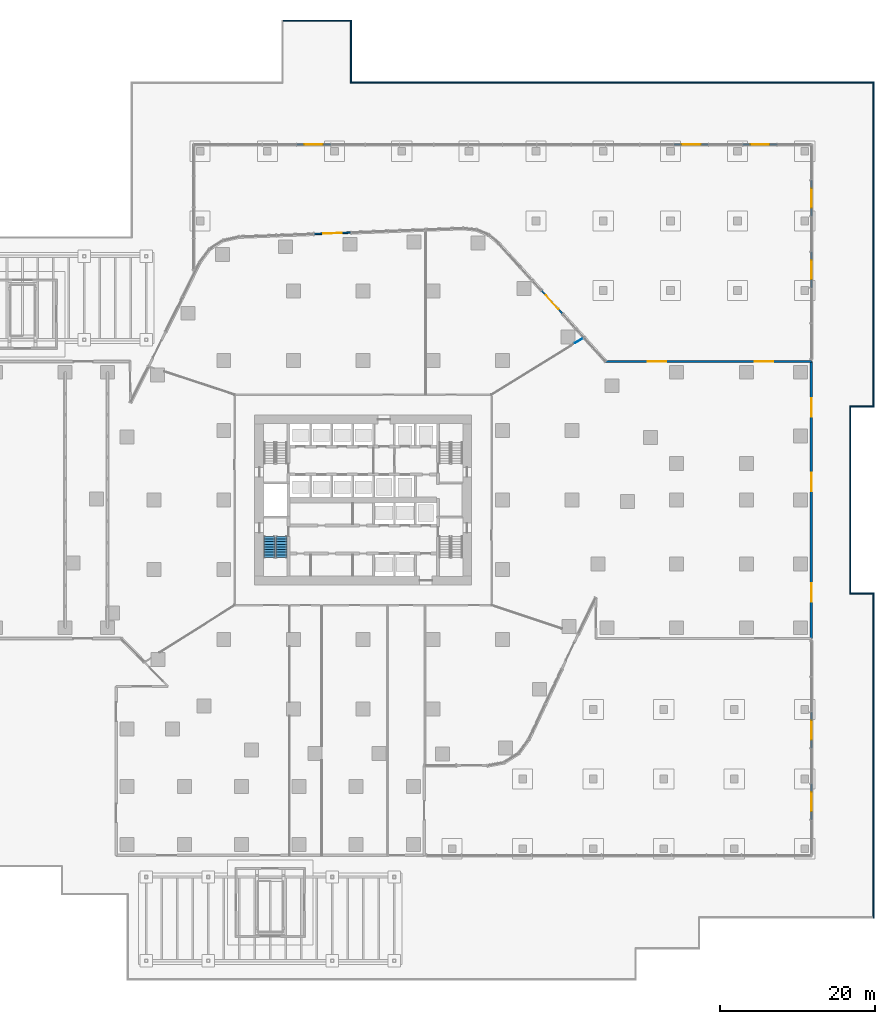
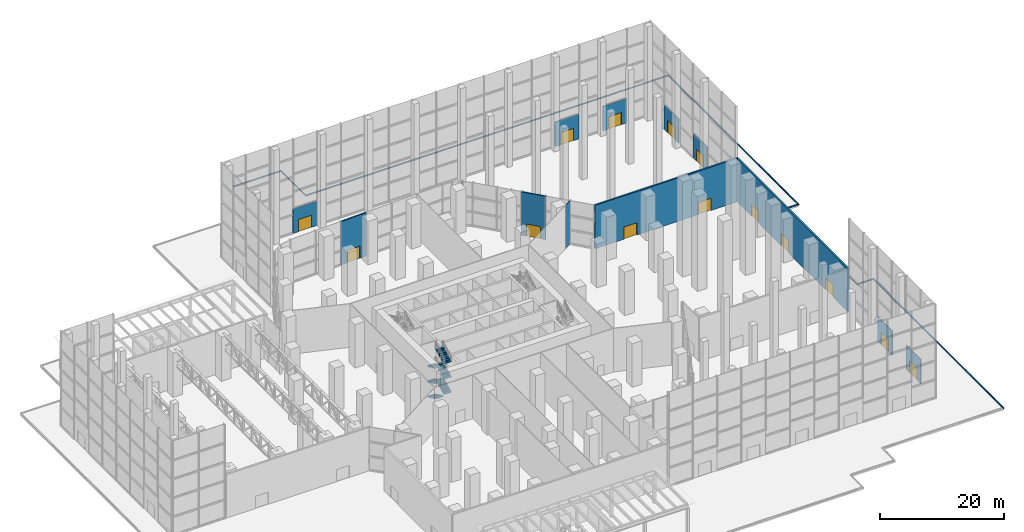
# One storey, part 34 of 40: 20 walls, 14 doors, 6 stair flights, 14 openings, 1 element without a shape of its own.
"""IFC4 building model written with IfcOpenShell, lengths in metres."""

from ifc_helpers import new_model, si_unit, direction, frame, frame_2d, origin, place, context, subcontext, project, spatial, polyline, rectangle, outline, extrude, material, layer, layer_set, type_object, element, fill, aggregate, save


model = new_model("IFC4")

# Units and contexts
model_context = context("Model", 3, precision=1e-05, world=origin(), true_north=direction((0.0, 1.0)))
body_context = subcontext(model_context, "Body", "Model", "MODEL_VIEW")
ifc_project = project(units=[si_unit("LENGTHUNIT", "METRE"), si_unit("AREAUNIT", "SQUARE_METRE"), si_unit("VOLUMEUNIT", "CUBIC_METRE"), si_unit("PLANEANGLEUNIT", "RADIAN"), si_unit("MASSUNIT", "GRAM", prefix="KILO")], contexts=[model_context])

# Site, building, storey
site_placement = place(None, origin())
site = spatial("IfcSite", under=ifc_project, at=site_placement, CompositionType="ELEMENT")
building_placement = place(site_placement, origin())
building = spatial("IfcBuilding", under=site, at=building_placement, Name="Dongbaek Canopy Tower", CompositionType="ELEMENT")
storey_placement = place(building_placement, origin())
storey = spatial("IfcBuildingStorey", under=building, at=storey_placement, Name="L00", CompositionType="ELEMENT", Elevation=0.0)

# Wall, opening, door
ifc_material_1 = material(Name="Aluminium window wall", Category="aluminium")
ifc_layer_1 = layer(ifc_material_1, 0.199951171875)
ifc_layer_set_1 = layer_set([ifc_layer_1], Name="Entrance wall 200")
wall_type_1 = type_object("IfcWallType", Name="Entrance wall 200", PredefinedType="SOLIDWALL", material=ifc_layer_set_1)
wall_1_placement = place(storey_placement, frame((23.036376953125, 27.0673828125, 0.0), z_axis=(0.0, 0.0, 1.0), x_axis=(0.671263414089, -0.741218880565, 0.0)))
wall_1 = element("IfcWall", 1, at=wall_1_placement, inside=storey, type_object=wall_type_1, Name="Entrance wall L00 F5 3", PredefinedType="SOLIDWALL", context=body_context, shape_type="SweptSolid", body=[
    extrude(rectangle(XDim=4.107666015625, YDim=0.199951171875, at=frame_2d((2.0537109375, 0.0))), origin(), (0.0, 0.0, 1.0), 8.550048828125),
])
opening_1_placement = place(wall_1_placement, frame((0.85400390625, 0.0, 0.0)))
opening_1 = element("IfcOpeningElement", 2, at=opening_1_placement, cuts=wall_1, Name="Opening L00-E03", PredefinedType="OPENING", context=body_context, shape_type="SweptSolid", body=[
    extrude(rectangle(XDim=2.39990234375, YDim=2.39990234375, at=frame_2d((1.199951171875, 1.199951171875))), frame((0.0, 0.10986328125, 0.0), z_axis=(0.0, -1.0, 0.0), x_axis=(1.0, 0.0, 0.0)), (0.0, 0.0, 1.0), 0.219970703125),
])
ifc_material_2 = material(Name="Clear glazing in aluminium frame", Category="aluminium")
door_type = type_object("IfcDoorType", Name="Entrance door ED1 2400 x 2400", OperationType="DOUBLE_DOOR_SINGLE_SWING", PredefinedType="DOOR", material=ifc_material_2)
door_1_placement = place(opening_1_placement, origin())
door_1 = element("IfcDoor", 3, at=door_1_placement, inside=storey, type_object=door_type, Name="Exterior door L00-E03", OperationType="SINGLE_SWING_LEFT", OverallHeight=2.39990234375, OverallWidth=2.39990234375, PredefinedType="DOOR", context=body_context, shape_type="SweptSolid", body=[
    extrude(rectangle(XDim=2.39990234375, YDim=2.39990234375, at=frame_2d((1.199951171875, 1.199951171875))), frame((0.0, 0.02490234375, 0.0), z_axis=(0.0, -1.0, 0.0), x_axis=(1.0, 0.0, 0.0)), (0.0, 0.0, 1.0), 0.050048828125),
])
fill(opening_1, door_1)

wall_2_placement = place(storey_placement, frame((-6.372802734375, 34.354248046875, 0.0), z_axis=(0.0, 0.0, 1.0), x_axis=(0.999268774919, 0.038235003231, 0.0)))
wall_2 = element("IfcWall", 4, at=wall_2_placement, inside=storey, type_object=wall_type_1, Name="Entrance wall L00 F6 4", PredefinedType="SOLIDWALL", context=body_context, shape_type="SweptSolid", body=[
    extrude(rectangle(XDim=4.8271484375, YDim=0.199951171875, at=frame_2d((2.41357421875, 0.0))), origin(), (0.0, 0.0, 1.0), 8.550048828125),
])
opening_2_placement = place(wall_2_placement, frame((1.213623046875, 0.0, 0.0)))
opening_2 = element("IfcOpeningElement", 5, at=opening_2_placement, cuts=wall_2, Name="Opening L00-E04", PredefinedType="OPENING", context=body_context, shape_type="SweptSolid", body=[
    extrude(rectangle(XDim=2.39990234375, YDim=2.39990234375, at=frame_2d((1.199951171875, 1.199951171875))), frame((0.0, 0.10986328125, 0.0), z_axis=(0.0, -1.0, 0.0), x_axis=(1.0, 0.0, 0.0)), (0.0, 0.0, 1.0), 0.219970703125),
])
door_2_placement = place(opening_2_placement, origin())
door_2 = element("IfcDoor", 6, at=door_2_placement, inside=storey, type_object=door_type, Name="Exterior door L00-E04", OperationType="SINGLE_SWING_LEFT", OverallHeight=2.39990234375, OverallWidth=2.39990234375, PredefinedType="DOOR", context=body_context, shape_type="SweptSolid", body=[
    extrude(rectangle(XDim=2.39990234375, YDim=2.39990234375, at=frame_2d((1.199951171875, 1.199951171875))), frame((0.0, 0.02490234375, 0.0), z_axis=(0.0, -1.0, 0.0), x_axis=(1.0, 0.0, 0.0)), (0.0, 0.0, 1.0), 0.050048828125),
])
fill(opening_2, door_2)

wall_3_placement = place(storey_placement, frame((57.89990234375, 32.050048828125, 0.0), z_axis=(0.0, 0.0, 1.0), x_axis=(0.0, -1.0, 0.0)))
wall_3 = element("IfcWall", 7, at=wall_3_placement, inside=storey, type_object=wall_type_1, Name="Entrance wall L00 NE.3", PredefinedType="SOLIDWALL", context=body_context, shape_type="SweptSolid", body=[
    extrude(rectangle(XDim=4.61669921875, YDim=0.199951171875, at=frame_2d((2.308349609375, 0.0))), origin(), (0.0, 0.0, 1.0), 4.800048828125),
])
opening_3_placement = place(wall_3_placement, frame((1.1083984375, 0.0, 0.0)))
opening_3 = element("IfcOpeningElement", 8, at=opening_3_placement, cuts=wall_3, Name="Opening L00-P01", PredefinedType="OPENING", context=body_context, shape_type="SweptSolid", body=[
    extrude(rectangle(XDim=2.39990234375, YDim=2.39990234375, at=frame_2d((1.199951171875, 1.199951171875))), frame((0.0, 0.10986328125, 0.0), z_axis=(0.0, -1.0, 0.0), x_axis=(1.0, 0.0, 0.0)), (0.0, 0.0, 1.0), 0.219970703125),
])
door_3_placement = place(opening_3_placement, origin())
door_3 = element("IfcDoor", 9, at=door_3_placement, inside=storey, type_object=door_type, Name="Station entrance door L00-P01", OperationType="SINGLE_SWING_LEFT", OverallHeight=2.39990234375, OverallWidth=2.39990234375, PredefinedType="DOOR", context=body_context, shape_type="SweptSolid", body=[
    extrude(rectangle(XDim=2.39990234375, YDim=2.39990234375, at=frame_2d((1.199951171875, 1.199951171875))), frame((0.0, 0.02490234375, 0.0), z_axis=(0.0, -1.0, 0.0), x_axis=(1.0, 0.0, 0.0)), (0.0, 0.0, 1.0), 0.050048828125),
])
fill(opening_3, door_3)

wall_4_placement = place(storey_placement, frame((57.89990234375, 41.283447265625, 0.0), z_axis=(0.0, 0.0, 1.0), x_axis=(0.0, -1.0, 0.0)))
wall_4 = element("IfcWall", 10, at=wall_4_placement, inside=storey, type_object=wall_type_1, Name="Entrance wall L00 NE.5", PredefinedType="SOLIDWALL", context=body_context, shape_type="SweptSolid", body=[
    extrude(rectangle(XDim=4.61669921875, YDim=0.199951171875, at=frame_2d((2.308349609375, 0.0))), origin(), (0.0, 0.0, 1.0), 4.800048828125),
])
opening_4_placement = place(wall_4_placement, frame((1.1083984375, 0.0, 0.0)))
opening_4 = element("IfcOpeningElement", 11, at=opening_4_placement, cuts=wall_4, Name="Opening L00-P02", PredefinedType="OPENING", context=body_context, shape_type="SweptSolid", body=[
    extrude(rectangle(XDim=2.39990234375, YDim=2.39990234375, at=frame_2d((1.199951171875, 1.199951171875))), frame((0.0, 0.10986328125, 0.0), z_axis=(0.0, -1.0, 0.0), x_axis=(1.0, 0.0, 0.0)), (0.0, 0.0, 1.0), 0.219970703125),
])
door_4_placement = place(opening_4_placement, origin())
door_4 = element("IfcDoor", 12, at=door_4_placement, inside=storey, type_object=door_type, Name="Station entrance door L00-P02", OperationType="SINGLE_SWING_LEFT", OverallHeight=2.39990234375, OverallWidth=2.39990234375, PredefinedType="DOOR", context=body_context, shape_type="SweptSolid", body=[
    extrude(rectangle(XDim=2.39990234375, YDim=2.39990234375, at=frame_2d((1.199951171875, 1.199951171875))), frame((0.0, 0.02490234375, 0.0), z_axis=(0.0, -1.0, 0.0), x_axis=(1.0, 0.0, 0.0)), (0.0, 0.0, 1.0), 0.050048828125),
])
fill(opening_4, door_4)

wall_5_placement = place(storey_placement, frame((49.033447265625, 45.89990234375, 0.0), z_axis=(0.0, 0.0, 1.0), x_axis=(1.0, 0.0, 0.0)))
wall_5 = element("IfcWall", 13, at=wall_5_placement, inside=storey, type_object=wall_type_1, Name="Entrance wall L00 NN.2", PredefinedType="SOLIDWALL", context=body_context, shape_type="SweptSolid", body=[
    extrude(rectangle(XDim=4.43310546875, YDim=0.199951171875, at=frame_2d((2.216552734375, 0.0))), origin(), (0.0, 0.0, 1.0), 4.800048828125),
])
opening_5_placement = place(wall_5_placement, frame((1.0166015625, 0.0, 0.0)))
opening_5 = element("IfcOpeningElement", 14, at=opening_5_placement, cuts=wall_5, Name="Opening L00-P03", PredefinedType="OPENING", context=body_context, shape_type="SweptSolid", body=[
    extrude(rectangle(XDim=2.39990234375, YDim=2.39990234375, at=frame_2d((1.199951171875, 1.199951171875))), frame((0.0, 0.10986328125, 0.0), z_axis=(0.0, -1.0, 0.0), x_axis=(1.0, 0.0, 0.0)), (0.0, 0.0, 1.0), 0.219970703125),
])
door_5_placement = place(opening_5_placement, origin())
door_5 = element("IfcDoor", 15, at=door_5_placement, inside=storey, type_object=door_type, Name="Station entrance door L00-P03", OperationType="SINGLE_SWING_LEFT", OverallHeight=2.39990234375, OverallWidth=2.39990234375, PredefinedType="DOOR", context=body_context, shape_type="SweptSolid", body=[
    extrude(rectangle(XDim=2.39990234375, YDim=2.39990234375, at=frame_2d((1.199951171875, 1.199951171875))), frame((0.0, 0.02490234375, 0.0), z_axis=(0.0, -1.0, 0.0), x_axis=(1.0, 0.0, 0.0)), (0.0, 0.0, 1.0), 0.050048828125),
])
fill(opening_5, door_5)

wall_6_placement = place(storey_placement, frame((40.166748046875, 45.89990234375, 0.0), z_axis=(0.0, 0.0, 1.0), x_axis=(1.0, 0.0, 0.0)))
wall_6 = element("IfcWall", 16, at=wall_6_placement, inside=storey, type_object=wall_type_1, Name="Entrance wall L00 NN.4", PredefinedType="SOLIDWALL", context=body_context, shape_type="SweptSolid", body=[
    extrude(rectangle(XDim=4.433349609375, YDim=0.199951171875, at=frame_2d((2.216796875, 0.0))), origin(), (0.0, 0.0, 1.0), 4.800048828125),
])
opening_6_placement = place(wall_6_placement, frame((1.0166015625, 0.0, 0.0)))
opening_6 = element("IfcOpeningElement", 17, at=opening_6_placement, cuts=wall_6, Name="Opening L00-P04", PredefinedType="OPENING", context=body_context, shape_type="SweptSolid", body=[
    extrude(rectangle(XDim=2.39990234375, YDim=2.39990234375, at=frame_2d((1.199951171875, 1.199951171875))), frame((0.0, 0.10986328125, 0.0), z_axis=(0.0, -1.0, 0.0), x_axis=(1.0, 0.0, 0.0)), (0.0, 0.0, 1.0), 0.219970703125),
])
door_6_placement = place(opening_6_placement, origin())
door_6 = element("IfcDoor", 18, at=door_6_placement, inside=storey, type_object=door_type, Name="Station entrance door L00-P04", OperationType="SINGLE_SWING_LEFT", OverallHeight=2.39990234375, OverallWidth=2.39990234375, PredefinedType="DOOR", context=body_context, shape_type="SweptSolid", body=[
    extrude(rectangle(XDim=2.39990234375, YDim=2.39990234375, at=frame_2d((1.199951171875, 1.199951171875))), frame((0.0, 0.02490234375, 0.0), z_axis=(0.0, -1.0, 0.0), x_axis=(1.0, 0.0, 0.0)), (0.0, 0.0, 1.0), 0.050048828125),
])
fill(opening_6, door_6)

wall_7_placement = place(storey_placement, frame((-8.60009765625, 45.89990234375, 0.0), z_axis=(0.0, 0.0, 1.0), x_axis=(1.0, 0.0, 0.0)))
wall_7 = element("IfcWall", 19, at=wall_7_placement, inside=storey, type_object=wall_type_1, Name="Entrance wall L00 NN.15", PredefinedType="SOLIDWALL", context=body_context, shape_type="SweptSolid", body=[
    extrude(rectangle(XDim=4.433349609375, YDim=0.199951171875, at=frame_2d((2.216796875, 0.0))), origin(), (0.0, 0.0, 1.0), 4.800048828125),
])
opening_7_placement = place(wall_7_placement, frame((1.0166015625, 0.0, 0.0)))
opening_7 = element("IfcOpeningElement", 20, at=opening_7_placement, cuts=wall_7, Name="Opening L00-P05", PredefinedType="OPENING", context=body_context, shape_type="SweptSolid", body=[
    extrude(rectangle(XDim=2.39990234375, YDim=2.39990234375, at=frame_2d((1.199951171875, 1.199951171875))), frame((0.0, 0.10986328125, 0.0), z_axis=(0.0, -1.0, 0.0), x_axis=(1.0, 0.0, 0.0)), (0.0, 0.0, 1.0), 0.219970703125),
])
door_7_placement = place(opening_7_placement, origin())
door_7 = element("IfcDoor", 21, at=door_7_placement, inside=storey, type_object=door_type, Name="Station entrance door L00-P05", OperationType="SINGLE_SWING_LEFT", OverallHeight=2.39990234375, OverallWidth=2.39990234375, PredefinedType="DOOR", context=body_context, shape_type="SweptSolid", body=[
    extrude(rectangle(XDim=2.39990234375, YDim=2.39990234375, at=frame_2d((1.199951171875, 1.199951171875))), frame((0.0, 0.02490234375, 0.0), z_axis=(0.0, -1.0, 0.0), x_axis=(1.0, 0.0, 0.0)), (0.0, 0.0, 1.0), 0.050048828125),
])
fill(opening_7, door_7)

wall_8_placement = place(storey_placement, frame((57.89990234375, -36.666748046875, 0.0), z_axis=(0.0, 0.0, 1.0), x_axis=(0.0, -1.0, 0.0)))
wall_8 = element("IfcWall", 22, at=wall_8_placement, inside=storey, type_object=wall_type_1, Name="Entrance wall L00 SE.2", PredefinedType="SOLIDWALL", context=body_context, shape_type="SweptSolid", body=[
    extrude(rectangle(XDim=4.61669921875, YDim=0.199951171875, at=frame_2d((2.308349609375, 0.0))), origin(), (0.0, 0.0, 1.0), 4.800048828125),
])
opening_8_placement = place(wall_8_placement, frame((1.1083984375, 0.0, 0.0)))
opening_8 = element("IfcOpeningElement", 23, at=opening_8_placement, cuts=wall_8, Name="Opening L00-P13", PredefinedType="OPENING", context=body_context, shape_type="SweptSolid", body=[
    extrude(rectangle(XDim=2.39990234375, YDim=2.39990234375, at=frame_2d((1.199951171875, 1.199951171875))), frame((0.0, 0.10986328125, 0.0), z_axis=(0.0, -1.0, 0.0), x_axis=(1.0, 0.0, 0.0)), (0.0, 0.0, 1.0), 0.219970703125),
])
door_8_placement = place(opening_8_placement, origin())
door_8 = element("IfcDoor", 24, at=door_8_placement, inside=storey, type_object=door_type, Name="Station entrance door L00-P13", OperationType="SINGLE_SWING_LEFT", OverallHeight=2.39990234375, OverallWidth=2.39990234375, PredefinedType="DOOR", context=body_context, shape_type="SweptSolid", body=[
    extrude(rectangle(XDim=2.39990234375, YDim=2.39990234375, at=frame_2d((1.199951171875, 1.199951171875))), frame((0.0, 0.02490234375, 0.0), z_axis=(0.0, -1.0, 0.0), x_axis=(1.0, 0.0, 0.0)), (0.0, 0.0, 1.0), 0.050048828125),
])
fill(opening_8, door_8)

wall_9_placement = place(storey_placement, frame((57.89990234375, -27.433349609375, 0.0), z_axis=(0.0, 0.0, 1.0), x_axis=(0.0, -1.0, 0.0)))
wall_9 = element("IfcWall", 25, at=wall_9_placement, inside=storey, type_object=wall_type_1, Name="Entrance wall L00 SE.4", PredefinedType="SOLIDWALL", context=body_context, shape_type="SweptSolid", body=[
    extrude(rectangle(XDim=4.61669921875, YDim=0.199951171875, at=frame_2d((2.308349609375, 0.0))), origin(), (0.0, 0.0, 1.0), 4.800048828125),
])
opening_9_placement = place(wall_9_placement, frame((1.1083984375, 0.0, 0.0)))
opening_9 = element("IfcOpeningElement", 26, at=opening_9_placement, cuts=wall_9, Name="Opening L00-P14", PredefinedType="OPENING", context=body_context, shape_type="SweptSolid", body=[
    extrude(rectangle(XDim=2.39990234375, YDim=2.39990234375, at=frame_2d((1.199951171875, 1.199951171875))), frame((0.0, 0.10986328125, 0.0), z_axis=(0.0, -1.0, 0.0), x_axis=(1.0, 0.0, 0.0)), (0.0, 0.0, 1.0), 0.219970703125),
])
door_9_placement = place(opening_9_placement, origin())
door_9 = element("IfcDoor", 27, at=door_9_placement, inside=storey, type_object=door_type, Name="Station entrance door L00-P14", OperationType="SINGLE_SWING_LEFT", OverallHeight=2.39990234375, OverallWidth=2.39990234375, PredefinedType="DOOR", context=body_context, shape_type="SweptSolid", body=[
    extrude(rectangle(XDim=2.39990234375, YDim=2.39990234375, at=frame_2d((1.199951171875, 1.199951171875))), frame((0.0, 0.02490234375, 0.0), z_axis=(0.0, -1.0, 0.0), x_axis=(1.0, 0.0, 0.0)), (0.0, 0.0, 1.0), 0.050048828125),
])
fill(opening_9, door_9)

# Wall, openings, doors
ifc_material_3 = material(Name="Precast concrete C40/50 with pale metal cladding", Category="concrete")
ifc_layer_2 = layer(ifc_material_3, 0.300048828125)
ifc_layer_set_2 = layer_set([ifc_layer_2], Name="Hall wall 300")
wall_type_2 = type_object("IfcWallType", Name="Hall wall 300", PredefinedType="SOLIDWALL", material=ifc_layer_set_2)
wall_10_placement = place(storey_placement, frame((57.89990234375, 17.89990234375, 0.0), z_axis=(0.0, 0.0, 1.0), x_axis=(0.0, -1.0, 0.0)))
wall_10 = element("IfcWall", 28, at=wall_10_placement, inside=storey, type_object=wall_type_2, Name="Hall wall L00 F3", PredefinedType="SOLIDWALL", context=body_context, shape_type="SweptSolid", body=[
    extrude(rectangle(XDim=35.7998046875, YDim=0.300048828125, at=frame_2d((17.89990234375, 0.0))), origin(), (0.0, 0.0, 1.0), 8.550048828125),
])
opening_10_placement = place(wall_10_placement, frame((28.63330078125, 0.0, 0.0)))
opening_10 = element("IfcOpeningElement", 29, at=opening_10_placement, cuts=wall_10, Name="Opening L00-X03", PredefinedType="OPENING", context=body_context, shape_type="SweptSolid", body=[
    extrude(rectangle(XDim=2.39990234375, YDim=2.39990234375, at=frame_2d((1.199951171875, 1.199951171875))), frame((0.0, 0.159912109375, 0.0), z_axis=(0.0, -1.0, 0.0), x_axis=(1.0, 0.0, 0.0)), (0.0, 0.0, 1.0), 0.320068359375),
])
opening_11_placement = place(wall_10_placement, frame((14.39990234375, 0.0, 0.0)))
opening_11 = element("IfcOpeningElement", 30, at=opening_11_placement, cuts=wall_10, Name="Opening L00-X04", PredefinedType="OPENING", context=body_context, shape_type="SweptSolid", body=[
    extrude(rectangle(XDim=2.39990234375, YDim=2.39990234375, at=frame_2d((1.199951171875, 1.199951171875))), frame((0.0, 0.159912109375, 0.0), z_axis=(0.0, -1.0, 0.0), x_axis=(1.0, 0.0, 0.0)), (0.0, 0.0, 1.0), 0.320068359375),
])
opening_12_placement = place(wall_10_placement, frame((4.7666015625, 0.0, 0.0)))
opening_12 = element("IfcOpeningElement", 31, at=opening_12_placement, cuts=wall_10, Name="Opening L00-X05", PredefinedType="OPENING", context=body_context, shape_type="SweptSolid", body=[
    extrude(rectangle(XDim=2.39990234375, YDim=2.39990234375, at=frame_2d((1.199951171875, 1.199951171875))), frame((0.0, 0.159912109375, 0.0), z_axis=(0.0, -1.0, 0.0), x_axis=(1.0, 0.0, 0.0)), (0.0, 0.0, 1.0), 0.320068359375),
])
door_10_placement = place(opening_10_placement, origin())
door_10 = element("IfcDoor", 32, at=door_10_placement, inside=storey, type_object=door_type, Name="Exterior door L00-X03", OperationType="SINGLE_SWING_LEFT", OverallHeight=2.39990234375, OverallWidth=2.39990234375, PredefinedType="DOOR", context=body_context, shape_type="SweptSolid", body=[
    extrude(rectangle(XDim=2.39990234375, YDim=2.39990234375, at=frame_2d((1.199951171875, 1.199951171875))), frame((0.0, 0.02490234375, 0.0), z_axis=(0.0, -1.0, 0.0), x_axis=(1.0, 0.0, 0.0)), (0.0, 0.0, 1.0), 0.050048828125),
])
fill(opening_10, door_10)
door_11_placement = place(opening_11_placement, origin())
door_11 = element("IfcDoor", 33, at=door_11_placement, inside=storey, type_object=door_type, Name="Exterior door L00-X04", OperationType="SINGLE_SWING_LEFT", OverallHeight=2.39990234375, OverallWidth=2.39990234375, PredefinedType="DOOR", context=body_context, shape_type="SweptSolid", body=[
    extrude(rectangle(XDim=2.39990234375, YDim=2.39990234375, at=frame_2d((1.199951171875, 1.199951171875))), frame((0.0, 0.02490234375, 0.0), z_axis=(0.0, -1.0, 0.0), x_axis=(1.0, 0.0, 0.0)), (0.0, 0.0, 1.0), 0.050048828125),
])
fill(opening_11, door_11)
door_12_placement = place(opening_12_placement, origin())
door_12 = element("IfcDoor", 34, at=door_12_placement, inside=storey, type_object=door_type, Name="Exterior door L00-X05", OperationType="SINGLE_SWING_LEFT", OverallHeight=2.39990234375, OverallWidth=2.39990234375, PredefinedType="DOOR", context=body_context, shape_type="SweptSolid", body=[
    extrude(rectangle(XDim=2.39990234375, YDim=2.39990234375, at=frame_2d((1.199951171875, 1.199951171875))), frame((0.0, 0.02490234375, 0.0), z_axis=(0.0, -1.0, 0.0), x_axis=(1.0, 0.0, 0.0)), (0.0, 0.0, 1.0), 0.050048828125),
])
fill(opening_12, door_12)

wall_11_placement = place(storey_placement, frame((31.33837890625, 17.89990234375, 0.0), z_axis=(0.0, 0.0, 1.0), x_axis=(1.0, 0.0, 0.0)))
wall_11 = element("IfcWall", 35, at=wall_11_placement, inside=storey, type_object=wall_type_2, Name="Hall wall L00 F4", PredefinedType="SOLIDWALL", context=body_context, shape_type="SweptSolid", body=[
    extrude(rectangle(XDim=26.5615234375, YDim=0.300048828125, at=frame_2d((13.28076171875, 0.0))), origin(), (0.0, 0.0, 1.0), 8.550048828125),
])
opening_13_placement = place(wall_11_placement, frame((19.22119140625, 0.0, 0.0)))
opening_13 = element("IfcOpeningElement", 36, at=opening_13_placement, cuts=wall_11, Name="Opening L00-X06", PredefinedType="OPENING", context=body_context, shape_type="SweptSolid", body=[
    extrude(rectangle(XDim=2.39990234375, YDim=2.39990234375, at=frame_2d((1.199951171875, 1.199951171875))), frame((0.0, 0.159912109375, 0.0), z_axis=(0.0, -1.0, 0.0), x_axis=(1.0, 0.0, 0.0)), (0.0, 0.0, 1.0), 0.320068359375),
])
opening_14_placement = place(wall_11_placement, frame((5.4404296875, 0.0, 0.0)))
opening_14 = element("IfcOpeningElement", 37, at=opening_14_placement, cuts=wall_11, Name="Opening L00-X07", PredefinedType="OPENING", context=body_context, shape_type="SweptSolid", body=[
    extrude(rectangle(XDim=2.39990234375, YDim=2.39990234375, at=frame_2d((1.199951171875, 1.199951171875))), frame((0.0, 0.159912109375, 0.0), z_axis=(0.0, -1.0, 0.0), x_axis=(1.0, 0.0, 0.0)), (0.0, 0.0, 1.0), 0.320068359375),
])
door_13_placement = place(opening_13_placement, origin())
door_13 = element("IfcDoor", 38, at=door_13_placement, inside=storey, type_object=door_type, Name="Exterior door L00-X06", OperationType="SINGLE_SWING_LEFT", OverallHeight=2.39990234375, OverallWidth=2.39990234375, PredefinedType="DOOR", context=body_context, shape_type="SweptSolid", body=[
    extrude(rectangle(XDim=2.39990234375, YDim=2.39990234375, at=frame_2d((1.199951171875, 1.199951171875))), frame((0.0, 0.02490234375, 0.0), z_axis=(0.0, -1.0, 0.0), x_axis=(1.0, 0.0, 0.0)), (0.0, 0.0, 1.0), 0.050048828125),
])
fill(opening_13, door_13)
door_14_placement = place(opening_14_placement, origin())
door_14 = element("IfcDoor", 39, at=door_14_placement, inside=storey, type_object=door_type, Name="Exterior door L00-X07", OperationType="SINGLE_SWING_LEFT", OverallHeight=2.39990234375, OverallWidth=2.39990234375, PredefinedType="DOOR", context=body_context, shape_type="SweptSolid", body=[
    extrude(rectangle(XDim=2.39990234375, YDim=2.39990234375, at=frame_2d((1.199951171875, 1.199951171875))), frame((0.0, 0.02490234375, 0.0), z_axis=(0.0, -1.0, 0.0), x_axis=(1.0, 0.0, 0.0)), (0.0, 0.0, 1.0), 0.050048828125),
])
fill(opening_14, door_14)

# Walls
ifc_material_4 = material(Name="Gypsum board partition, steel stud, 2 x 12.5 mm board", Category="steel")
ifc_layer_3 = layer(ifc_material_4, 0.10009765625)
ifc_layer_set_3 = layer_set([ifc_layer_3], Name="Partition 100 gypsum board")
wall_type_3 = type_object("IfcWallType", Name="Partition 100 gypsum board", PredefinedType="PARTITIONING", material=ifc_layer_set_3)
wall_12_placement = place(storey_placement, frame((27.382080078125, 20.27490234375, 0.0), z_axis=(0.0, 0.0, 1.0), x_axis=(0.850241855485, 0.526392237008, 0.0)))
element("IfcWall", 40, at=wall_12_placement, inside=storey, type_object=wall_type_3, Name="Partition", PredefinedType="PARTITIONING", context=body_context, shape_type="SweptSolid", body=[
    extrude(rectangle(XDim=1.34033203125, YDim=0.10009765625, at=frame_2d((0.670166015625, 0.0))), origin(), (0.0, 0.0, 1.0), 8.550048828125),
])
ifc_material_5 = material(Name="Precast concrete C40/50 kerb", Category="concrete")
ifc_layer_4 = layer(ifc_material_5, 0.14990234375)
ifc_layer_set_4 = layer_set([ifc_layer_4], Name="Plaza kerb 150")
wall_type_4 = type_object("IfcWallType", Name="Plaza kerb 150", PredefinedType="SOLIDWALL", material=ifc_layer_set_4)
wall_13_placement = place(storey_placement, frame((65.925048828125, -54.0, 0.0), z_axis=(0.0, 0.0, 1.0), x_axis=(0.0, 1.0, 0.0)))
element("IfcWall", 41, at=wall_13_placement, inside=storey, type_object=wall_type_4, Name="Plaza kerb 7", PredefinedType="SOLIDWALL", context=body_context, shape_type="SweptSolid", body=[
    extrude(rectangle(XDim=42.0, YDim=0.14990234375, at=frame_2d((21.0, 0.0))), origin(), (0.0, 0.0, 1.0), 0.14990234375),
])
wall_14_placement = place(storey_placement, frame((63.0, -12.074951171875, 0.0), z_axis=(0.0, 0.0, 1.0), x_axis=(1.0, 0.0, 0.0)))
element("IfcWall", 42, at=wall_14_placement, inside=storey, type_object=wall_type_4, Name="Plaza kerb 14", PredefinedType="SOLIDWALL", context=body_context, shape_type="SweptSolid", body=[
    extrude(rectangle(XDim=2.85009765625, YDim=0.14990234375, at=frame_2d((1.425048828125, 0.0))), origin(), (0.0, 0.0, 1.0), 0.14990234375),
])
wall_15_placement = place(storey_placement, frame((62.925048828125, -12.14990234375, 0.0), z_axis=(0.0, 0.0, 1.0), x_axis=(0.0, 1.0, 0.0)))
element("IfcWall", 43, at=wall_15_placement, inside=storey, type_object=wall_type_4, Name="Plaza kerb 15", PredefinedType="SOLIDWALL", context=body_context, shape_type="SweptSolid", body=[
    extrude(rectangle(XDim=24.2998046875, YDim=0.14990234375, at=frame_2d((12.14990234375, 0.0))), origin(), (0.0, 0.0, 1.0), 0.14990234375),
])
wall_16_placement = place(storey_placement, frame((63.0, 12.074951171875, 0.0), z_axis=(0.0, 0.0, 1.0), x_axis=(1.0, 0.0, 0.0)))
element("IfcWall", 44, at=wall_16_placement, inside=storey, type_object=wall_type_4, Name="Plaza kerb 16", PredefinedType="SOLIDWALL", context=body_context, shape_type="SweptSolid", body=[
    extrude(rectangle(XDim=2.85009765625, YDim=0.14990234375, at=frame_2d((1.425048828125, 0.0))), origin(), (0.0, 0.0, 1.0), 0.14990234375),
])
wall_17_placement = place(storey_placement, frame((65.925048828125, 12.0, 0.0), z_axis=(0.0, 0.0, 1.0), x_axis=(0.0, 1.0, 0.0)))
element("IfcWall", 45, at=wall_17_placement, inside=storey, type_object=wall_type_4, Name="Plaza kerb 17", PredefinedType="SOLIDWALL", context=body_context, shape_type="SweptSolid", body=[
    extrude(rectangle(XDim=42.0, YDim=0.14990234375, at=frame_2d((21.0, 0.0))), origin(), (0.0, 0.0, 1.0), 0.14990234375),
])
wall_18_placement = place(storey_placement, frame((-1.5, 53.925048828125, 0.0), z_axis=(0.0, 0.0, 1.0), x_axis=(1.0, 0.0, 0.0)))
element("IfcWall", 46, at=wall_18_placement, inside=storey, type_object=wall_type_4, Name="Plaza kerb 23", PredefinedType="SOLIDWALL", context=body_context, shape_type="SweptSolid", body=[
    extrude(rectangle(XDim=67.35009765625, YDim=0.14990234375, at=frame_2d((33.675048828125, 0.0))), origin(), (0.0, 0.0, 1.0), 0.14990234375),
])
wall_19_placement = place(storey_placement, frame((-1.574951171875, 53.85009765625, 0.0), z_axis=(0.0, 0.0, 1.0), x_axis=(0.0, 1.0, 0.0)))
element("IfcWall", 47, at=wall_19_placement, inside=storey, type_object=wall_type_4, Name="Plaza kerb 25", PredefinedType="SOLIDWALL", context=body_context, shape_type="SweptSolid", body=[
    extrude(rectangle(XDim=8.14990234375, YDim=0.14990234375, at=frame_2d((4.074951171875, 0.0))), origin(), (0.0, 0.0, 1.0), 0.14990234375),
])
wall_20_placement = place(storey_placement, frame((-10.35009765625, 61.925048828125, 0.0), z_axis=(0.0, 0.0, 1.0), x_axis=(1.0, 0.0, 0.0)))
element("IfcWall", 48, at=wall_20_placement, inside=storey, type_object=wall_type_4, Name="Plaza kerb 26", PredefinedType="SOLIDWALL", context=body_context, shape_type="SweptSolid", body=[
    extrude(rectangle(XDim=8.7001953125, YDim=0.14990234375, at=frame_2d((4.35009765625, 0.0))), origin(), (0.0, 0.0, 1.0), 0.14990234375),
])

# Stair, stair flights
ifc_material_6 = material(Name="Concrete C40/50", Category="concrete")
stair_type = type_object("IfcStairType", Name="Core exit stair", PredefinedType="HALF_TURN_STAIR", material=ifc_material_6)
stair_placement = place(storey_placement, origin())
stair = element("IfcStair", 49, at=stair_placement, inside=storey, type_object=stair_type, Name="L00 exit stair D", PredefinedType="HALF_TURN_STAIR")
ifc_material_7 = material(Name="Concrete C40/50", Category="concrete")
ifc_layer_5 = layer(ifc_material_7, 0.14990234375)
ifc_layer_set_5 = layer_set([ifc_layer_5], Name="Core stair flight 150 waist")
stair_flight_type = type_object("IfcStairFlightType", Name="Core stair flight 150 waist", PredefinedType="STRAIGHT", material=ifc_layer_set_5)
stair_flight_1_placement = place(storey_placement, frame((-12.10009765625, -4.699951171875, 0.0), z_axis=(0.0, 0.0, 1.0), x_axis=(0.0, -1.0, 0.0)))
stair_flight_1 = element("IfcStairFlight", 50, at=stair_flight_1_placement, type_object=stair_flight_type, Name="ST-D flight 1", NumberOfRisers=9, NumberOfTreads=8, PredefinedType="STRAIGHT", RiserHeight=0.166666667, TreadLength=0.34, context=body_context, shape_type="SweptSolid", body=[
    extrude(outline(polyline([(0.0, 0.0), (0.0, 0.166748046875), (0.340087890625, 0.166748046875), (0.340087890625, 0.333251953125), (0.679931640625, 0.333251953125), (0.679931640625, 0.5), (1.02001953125, 0.5), (1.02001953125, 0.666748046875), (1.360107421875, 0.666748046875), (1.360107421875, 0.833251953125), (1.699951171875, 0.833251953125), (1.699951171875, 1.0), (2.0400390625, 1.0), (2.0400390625, 1.166748046875), (2.3798828125, 1.166748046875), (2.3798828125, 1.333251953125), (2.719970703125, 1.333251953125), (2.719970703125, 1.5), (2.719970703125, 1.16650390625), (0.340576171875, 0.0), (0.0, 0.0)])), frame((0.0, 0.699951171875, 0.0), z_axis=(0.0, -1.0, 0.0), x_axis=(1.0, 0.0, 0.0)), (0.0, 0.0, 1.0), 1.39990234375),
])
stair_flight_2_placement = place(storey_placement, frame((-10.550048828125, -7.419921875, 1.5), z_axis=(0.0, 0.0, 1.0), x_axis=(0.0, 1.0, 0.0)))
stair_flight_2 = element("IfcStairFlight", 51, at=stair_flight_2_placement, type_object=stair_flight_type, Name="ST-D flight 2", NumberOfRisers=9, NumberOfTreads=8, PredefinedType="STRAIGHT", RiserHeight=0.166666667, TreadLength=0.34, context=body_context, shape_type="SweptSolid", body=[
    extrude(outline(polyline([(0.0, 0.0), (0.0, 0.166748046875), (0.340087890625, 0.166748046875), (0.340087890625, 0.333251953125), (0.679931640625, 0.333251953125), (0.679931640625, 0.5), (1.02001953125, 0.5), (1.02001953125, 0.666748046875), (1.360107421875, 0.666748046875), (1.360107421875, 0.833251953125), (1.699951171875, 0.833251953125), (1.699951171875, 1.0), (2.0400390625, 1.0), (2.0400390625, 1.166748046875), (2.3798828125, 1.166748046875), (2.3798828125, 1.333251953125), (2.719970703125, 1.333251953125), (2.719970703125, 1.5), (2.719970703125, 1.16650390625), (0.340576171875, 0.0), (0.0, 0.0)])), frame((0.0, 0.699951171875, 0.0), z_axis=(0.0, -1.0, 0.0), x_axis=(1.0, 0.0, 0.0)), (0.0, 0.0, 1.0), 1.39990234375),
])
stair_flight_3_placement = place(storey_placement, frame((-12.10009765625, -4.699951171875, 3.0), z_axis=(0.0, 0.0, 1.0), x_axis=(0.0, -1.0, 0.0)))
stair_flight_3 = element("IfcStairFlight", 52, at=stair_flight_3_placement, type_object=stair_flight_type, Name="ST-D flight 3", NumberOfRisers=9, NumberOfTreads=8, PredefinedType="STRAIGHT", RiserHeight=0.166666667, TreadLength=0.34, context=body_context, shape_type="SweptSolid", body=[
    extrude(outline(polyline([(0.0, 0.0), (0.0, 0.166748046875), (0.340087890625, 0.166748046875), (0.340087890625, 0.333251953125), (0.679931640625, 0.333251953125), (0.679931640625, 0.5), (1.02001953125, 0.5), (1.02001953125, 0.666748046875), (1.360107421875, 0.666748046875), (1.360107421875, 0.833251953125), (1.699951171875, 0.833251953125), (1.699951171875, 1.0), (2.0400390625, 1.0), (2.0400390625, 1.166748046875), (2.3798828125, 1.166748046875), (2.3798828125, 1.333251953125), (2.719970703125, 1.333251953125), (2.719970703125, 1.5), (2.719970703125, 1.16650390625), (0.340576171875, 0.0), (0.0, 0.0)])), frame((0.0, 0.699951171875, 0.0), z_axis=(0.0, -1.0, 0.0), x_axis=(1.0, 0.0, 0.0)), (0.0, 0.0, 1.0), 1.39990234375),
])
stair_flight_4_placement = place(storey_placement, frame((-10.550048828125, -7.419921875, 4.5), z_axis=(0.0, 0.0, 1.0), x_axis=(0.0, 1.0, 0.0)))
stair_flight_4 = element("IfcStairFlight", 53, at=stair_flight_4_placement, type_object=stair_flight_type, Name="ST-D flight 4", NumberOfRisers=9, NumberOfTreads=8, PredefinedType="STRAIGHT", RiserHeight=0.166666667, TreadLength=0.34, context=body_context, shape_type="SweptSolid", body=[
    extrude(outline(polyline([(0.0, 0.0), (0.0, 0.166748046875), (0.340087890625, 0.166748046875), (0.340087890625, 0.333251953125), (0.679931640625, 0.333251953125), (0.679931640625, 0.5), (1.02001953125, 0.5), (1.02001953125, 0.666748046875), (1.360107421875, 0.666748046875), (1.360107421875, 0.833251953125), (1.699951171875, 0.833251953125), (1.699951171875, 1.0), (2.0400390625, 1.0), (2.0400390625, 1.166748046875), (2.3798828125, 1.166748046875), (2.3798828125, 1.333251953125), (2.719970703125, 1.333251953125), (2.719970703125, 1.5), (2.719970703125, 1.16650390625), (0.340576171875, 0.0), (0.0, 0.0)])), frame((0.0, 0.699951171875, 0.0), z_axis=(0.0, -1.0, 0.0), x_axis=(1.0, 0.0, 0.0)), (0.0, 0.0, 1.0), 1.39990234375),
])
stair_flight_5_placement = place(storey_placement, frame((-12.10009765625, -4.699951171875, 6.0), z_axis=(0.0, 0.0, 1.0), x_axis=(0.0, -1.0, 0.0)))
stair_flight_5 = element("IfcStairFlight", 54, at=stair_flight_5_placement, type_object=stair_flight_type, Name="ST-D flight 5", NumberOfRisers=9, NumberOfTreads=8, PredefinedType="STRAIGHT", RiserHeight=0.166666667, TreadLength=0.34, context=body_context, shape_type="SweptSolid", body=[
    extrude(outline(polyline([(0.0, 0.0), (0.0, 0.166748046875), (0.340087890625, 0.166748046875), (0.340087890625, 0.333251953125), (0.679931640625, 0.333251953125), (0.679931640625, 0.5), (1.02001953125, 0.5), (1.02001953125, 0.666748046875), (1.360107421875, 0.666748046875), (1.360107421875, 0.833251953125), (1.699951171875, 0.833251953125), (1.699951171875, 1.0), (2.0400390625, 1.0), (2.0400390625, 1.166748046875), (2.3798828125, 1.166748046875), (2.3798828125, 1.333251953125), (2.719970703125, 1.333251953125), (2.719970703125, 1.5), (2.719970703125, 1.16650390625), (0.340576171875, 0.0), (0.0, 0.0)])), frame((0.0, 0.699951171875, 0.0), z_axis=(0.0, -1.0, 0.0), x_axis=(1.0, 0.0, 0.0)), (0.0, 0.0, 1.0), 1.39990234375),
])
stair_flight_6_placement = place(storey_placement, frame((-10.550048828125, -7.419921875, 7.5), z_axis=(0.0, 0.0, 1.0), x_axis=(0.0, 1.0, 0.0)))
stair_flight_6 = element("IfcStairFlight", 55, at=stair_flight_6_placement, type_object=stair_flight_type, Name="ST-D flight 6", NumberOfRisers=9, NumberOfTreads=8, PredefinedType="STRAIGHT", RiserHeight=0.166666667, TreadLength=0.34, context=body_context, shape_type="SweptSolid", body=[
    extrude(outline(polyline([(0.0, 0.0), (0.0, 0.166748046875), (0.340087890625, 0.166748046875), (0.340087890625, 0.333251953125), (0.679931640625, 0.333251953125), (0.679931640625, 0.5), (1.02001953125, 0.5), (1.02001953125, 0.666748046875), (1.360107421875, 0.666748046875), (1.360107421875, 0.833251953125), (1.699951171875, 0.833251953125), (1.699951171875, 1.0), (2.0400390625, 1.0), (2.0400390625, 1.166748046875), (2.3798828125, 1.166748046875), (2.3798828125, 1.333251953125), (2.719970703125, 1.333251953125), (2.719970703125, 1.5), (2.719970703125, 1.16650390625), (0.340576171875, 0.0), (0.0, 0.0)])), frame((0.0, 0.699951171875, 0.0), z_axis=(0.0, -1.0, 0.0), x_axis=(1.0, 0.0, 0.0)), (0.0, 0.0, 1.0), 1.39990234375),
])
aggregate(stair, [stair_flight_1, stair_flight_2, stair_flight_3, stair_flight_4, stair_flight_5, stair_flight_6])

save(model, "model.ifc")
